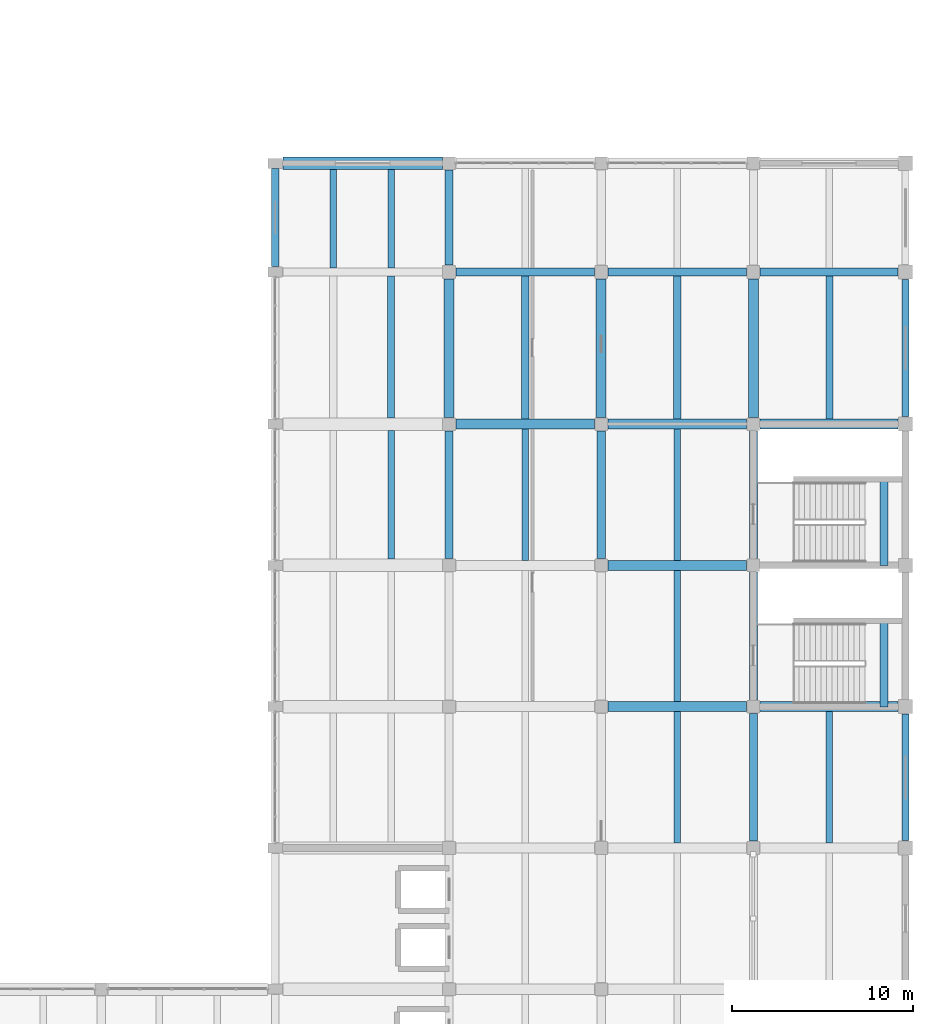
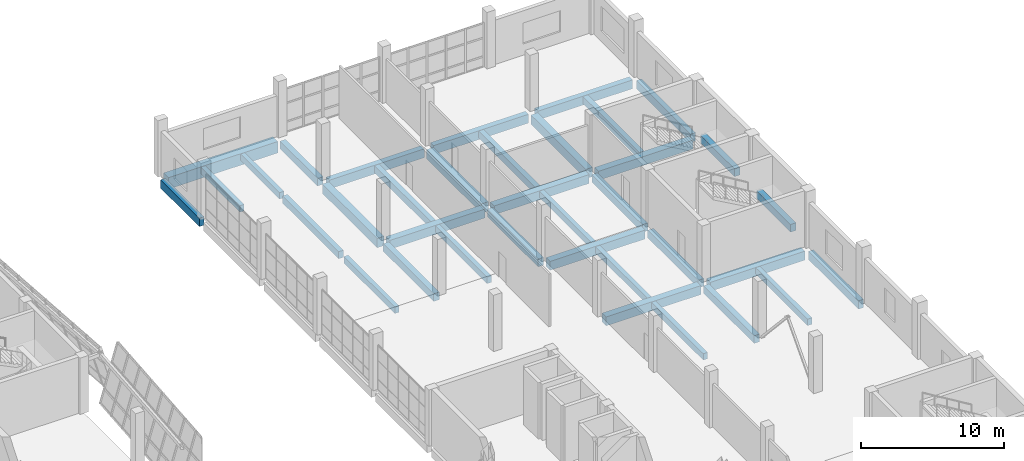
# One storey, part 60 of 91: 36 beams.
"""IFC4 building model written with IfcOpenShell, lengths in metres."""

from ifc_helpers import new_model, si_unit, direction, frame, origin, origin_2d, place, context, subcontext, project, spatial, rectangle, extrude, material, material_profile, profile_set, type_object, element, save


model = new_model("IFC4")

# Units and contexts
model_context = context("Model", 3, precision=1e-05, world=origin(), true_north=direction((0.0, 1.0)))
body_context = subcontext(model_context, "Body", "Model", "MODEL_VIEW")
ifc_project = project(units=[si_unit("LENGTHUNIT", "METRE"), si_unit("AREAUNIT", "SQUARE_METRE"), si_unit("VOLUMEUNIT", "CUBIC_METRE"), si_unit("PLANEANGLEUNIT", "RADIAN"), si_unit("MASSUNIT", "GRAM", prefix="KILO")], contexts=[model_context])

# Site, building, storey
site_placement = place(None, origin())
site = spatial("IfcSite", under=ifc_project, at=site_placement, CompositionType="ELEMENT")
building_placement = place(site_placement, origin())
building = spatial("IfcBuilding", under=site, at=building_placement, Name="Pellamere Symphony Hall", CompositionType="ELEMENT")
storey_placement = place(building_placement, frame((0.0, 0.0, 5.39990234375)))
storey = spatial("IfcBuildingStorey", under=building, at=storey_placement, Name="L01", CompositionType="ELEMENT", Elevation=5.39990234375)

# Beams
ifc_material_1 = material(Name="Concrete 40 MPa", Category="concrete")
ifc_material_profile_1 = material_profile(ifc_material_1, rectangle(XDim=0.550048828125, YDim=0.800048828125, at=origin_2d()), Name="RC 550x800")
ifc_profile_set_1 = profile_set([ifc_material_profile_1], Name="Concrete 40 MPa")
beam_type_1 = type_object("IfcBeamType", Name="RC CB-05 550x800", PredefinedType="BEAM", material=ifc_profile_set_1)
for number, where, z_axis, x_axis, name in (
    (1, (147.60009765625, 85.574951171875, -0.679931640625), (0.0, 1.0, 0.0), (-1.0, 0.0, 0.0), "Girder CB-05-Y0860 (L01)"),
    (2, (156.0, 85.574951171875, -0.679931640625), (0.0, 1.0, 0.0), (-1.0, 0.0, 0.0), "Girder CB-05-Y0871 (L01)"),
    (3, (164.39990234375, 85.574951171875, -0.679931640625), (0.0, 1.0, 0.0), (-1.0, 0.0, 0.0), "Girder CB-05-Y0882 (L01)"),
):
    element("IfcBeam", number, at=place(storey_placement, frame(where, z_axis=z_axis, x_axis=x_axis)), inside=storey, type_object=beam_type_1, Name=name, PredefinedType="BEAM", context=body_context, shape_type="SweptSolid", body=[
        extrude(rectangle(XDim=0.550048828125, YDim=0.800048828125, at=origin_2d()), origin(), (0.0, 0.0, 1.0), 7.650146484375),
    ])
ifc_material_profile_2 = material_profile(ifc_material_1, rectangle(XDim=0.449951171875, YDim=0.64990234375, at=origin_2d()), Name="RC 450x650")
ifc_profile_set_2 = profile_set([ifc_material_profile_2], Name="Concrete 40 MPa")
beam_type_2 = type_object("IfcBeamType", Name="RC CB-08 450x650", PredefinedType="BEAM", material=ifc_profile_set_2)
beam_1_placement = place(storey_placement, frame((147.60009765625, 77.77490234375, -0.60498046875), z_axis=(0.0, 1.0, 0.0), x_axis=(-1.0, 0.0, 0.0)))
element("IfcBeam", 4, at=beam_1_placement, inside=storey, type_object=beam_type_2, Name="Girder CB-08-Y0859 (L01)", PredefinedType="BEAM", context=body_context, shape_type="SweptSolid", body=[
    extrude(rectangle(XDim=0.449951171875, YDim=0.64990234375, at=origin_2d()), origin(), (0.0, 0.0, 1.0), 7.050048828125),
])
beam_2_placement = place(storey_placement, frame((147.60009765625, 93.97509765625, -0.60498046875), z_axis=(0.0, 1.0, 0.0), x_axis=(-1.0, 0.0, 0.0)))
element("IfcBeam", 5, at=beam_2_placement, inside=storey, type_object=beam_type_2, Name="Girder CB-08-Y0861 (L01)", PredefinedType="BEAM", context=body_context, shape_type="SweptSolid", body=[
    extrude(rectangle(XDim=0.449951171875, YDim=0.64990234375, at=origin_2d()), origin(), (0.0, 0.0, 1.0), 5.25),
])
for number, where, z_axis, x_axis, name in (
    (6, (156.0, 77.77490234375, -0.60498046875), (0.0, 1.0, 0.0), (-1.0, 0.0, 0.0), "Girder CB-08-Y0870 (L01)"),
    (7, (164.39990234375, 62.175048828125, -0.60498046875), (0.0, 1.0, 0.0), (-1.0, 0.0, 0.0), "Girder CB-08-Y0879 (L01)"),
):
    element("IfcBeam", number, at=place(storey_placement, frame(where, z_axis=z_axis, x_axis=x_axis)), inside=storey, type_object=beam_type_2, Name=name, PredefinedType="BEAM", context=body_context, shape_type="SweptSolid", body=[
        extrude(rectangle(XDim=0.449951171875, YDim=0.64990234375, at=origin_2d()), origin(), (0.0, 0.0, 1.0), 7.050048828125),
    ])
beam_3_placement = place(storey_placement, frame((164.39990234375, 69.97509765625, -0.60498046875), z_axis=(0.0, 1.0, 0.0), x_axis=(-1.0, 0.0, 0.0)))
element("IfcBeam", 8, at=beam_3_placement, inside=storey, type_object=beam_type_2, Name="Girder CB-08-Y0880 (L01)", PredefinedType="BEAM", context=body_context, shape_type="SweptSolid", body=[
    extrude(rectangle(XDim=0.449951171875, YDim=0.64990234375, at=origin_2d()), origin(), (0.0, 0.0, 1.0), 7.0498046875),
])
beam_4_placement = place(storey_placement, frame((164.39990234375, 77.77490234375, -0.60498046875), z_axis=(0.0, 1.0, 0.0), x_axis=(-1.0, 0.0, 0.0)))
element("IfcBeam", 9, at=beam_4_placement, inside=storey, type_object=beam_type_2, Name="Girder CB-08-Y0881 (L01)", PredefinedType="BEAM", context=body_context, shape_type="SweptSolid", body=[
    extrude(rectangle(XDim=0.449951171875, YDim=0.64990234375, at=origin_2d()), origin(), (0.0, 0.0, 1.0), 7.050048828125),
])
for number, where, z_axis, x_axis, name in (
    (10, (171.607421875, 69.580078125, 1.85498046875), (0.0, 1.0, 0.0), (-1.0, 0.0, 0.0), "Stair ST05-L01 Half Landing Support Beam (L01)"),
    (11, (171.607421875, 77.3798828125, 1.85498046875), (0.0, 1.0, 0.0), (-1.0, 0.0, 0.0), "Stair ST14-L01 Half Landing Support Beam (L01)"),
):
    element("IfcBeam", number, at=place(storey_placement, frame(where, z_axis=z_axis, x_axis=x_axis)), inside=storey, type_object=beam_type_2, Name=name, PredefinedType="BEAM", context=body_context, shape_type="SweptSolid", body=[
        extrude(rectangle(XDim=0.449951171875, YDim=0.64990234375, at=origin_2d()), origin(), (0.0, 0.0, 1.0), 4.780029296875),
    ])
ifc_material_profile_3 = material_profile(ifc_material_1, rectangle(XDim=0.39990234375, YDim=0.60009765625, at=origin_2d()), Name="RC 400x600")
ifc_profile_set_3 = profile_set([ifc_material_profile_3], Name="Concrete 40 MPa")
beam_type_3 = type_object("IfcBeamType", Name="RC CB-09 400x600", PredefinedType="BEAM", material=ifc_profile_set_3)
beam_5_placement = place(storey_placement, frame((144.39990234375, 85.5400390625, -0.594970703125), z_axis=(0.0, 1.0, 0.0), x_axis=(-1.0, 0.0, 0.0)))
element("IfcBeam", 12, at=beam_5_placement, inside=storey, type_object=beam_type_3, Name="Secondary Floor Beam CB-09-B1711 (L01)", PredefinedType="BEAM", context=body_context, shape_type="SweptSolid", body=[
    extrude(rectangle(XDim=0.39990234375, YDim=0.60009765625, at=origin_2d()), origin(), (0.0, 0.0, 1.0), 7.8349609375),
])
for number, where, z_axis, x_axis, name in (
    (13, (151.800048828125, 85.47998046875, -0.594970703125), (0.0, 1.0, 0.0), (-1.0, 0.0, 0.0), "Secondary Floor Beam CB-09-M1811 (L01)"),
    (14, (160.199951171875, 85.47998046875, -0.594970703125), (0.0, 1.0, 0.0), (-1.0, 0.0, 0.0), "Secondary Floor Beam CB-09-M1911 (L01)"),
    (15, (168.60009765625, 85.47998046875, -0.594970703125), (0.0, 1.0, 0.0), (-1.0, 0.0, 0.0), "Secondary Floor Beam CB-09-M2011 (L01)"),
):
    element("IfcBeam", number, at=place(storey_placement, frame(where, z_axis=z_axis, x_axis=x_axis)), inside=storey, type_object=beam_type_3, Name=name, PredefinedType="BEAM", context=body_context, shape_type="SweptSolid", body=[
        extrude(rectangle(XDim=0.39990234375, YDim=0.60009765625, at=origin_2d()), origin(), (0.0, 0.0, 1.0), 7.89501953125),
    ])
ifc_material_2 = material(Name="Concrete 35 MPa", Category="concrete")
ifc_material_profile_4 = material_profile(ifc_material_2, rectangle(XDim=0.35009765625, YDim=0.550048828125, at=origin_2d()), Name="RC 350x550")
ifc_profile_set_4 = profile_set([ifc_material_profile_4], Name="Concrete 35 MPa")
beam_type_4 = type_object("IfcBeamType", Name="RC CB-10 350x550", PredefinedType="BEAM", material=ifc_profile_set_4)
beam_6_placement = place(storey_placement, frame((144.39990234375, 77.739990234375, -0.56982421875), z_axis=(0.0, 1.0, 0.0), x_axis=(-1.0, 0.0, 0.0)))
element("IfcBeam", 16, at=beam_6_placement, inside=storey, type_object=beam_type_4, Name="Secondary Floor Beam CB-10-B1710 (L01)", PredefinedType="BEAM", context=body_context, shape_type="SweptSolid", body=[
    extrude(rectangle(XDim=0.35009765625, YDim=0.550048828125, at=origin_2d()), origin(), (0.0, 0.0, 1.0), 7.1201171875),
])
for number, where, z_axis, x_axis, name in (
    (17, (141.199951171875, 93.824951171875, -0.56982421875), (0.0, 1.0, 0.0), (-1.0, 0.0, 0.0), "Secondary Floor Beam CB-10-A1712 (L01)"),
    (18, (144.39990234375, 93.824951171875, -0.56982421875), (0.0, 1.0, 0.0), (-1.0, 0.0, 0.0), "Secondary Floor Beam CB-10-B1712 (L01)"),
):
    element("IfcBeam", number, at=place(storey_placement, frame(where, z_axis=z_axis, x_axis=x_axis)), inside=storey, type_object=beam_type_4, Name=name, PredefinedType="BEAM", context=body_context, shape_type="SweptSolid", body=[
        extrude(rectangle(XDim=0.35009765625, YDim=0.550048828125, at=origin_2d()), origin(), (0.0, 0.0, 1.0), 5.43505859375),
    ])
for number, where, z_axis, x_axis, name in (
    (19, (151.800048828125, 77.679931640625, -0.56982421875), (0.0, 1.0, 0.0), (-1.0, 0.0, 0.0), "Secondary Floor Beam CB-10-M1810 (L01)"),
    (20, (160.199951171875, 62.080078125, -0.56982421875), (0.0, 1.0, 0.0), (-1.0, 0.0, 0.0), "Secondary Floor Beam CB-10-M1908 (L01)"),
):
    element("IfcBeam", number, at=place(storey_placement, frame(where, z_axis=z_axis, x_axis=x_axis)), inside=storey, type_object=beam_type_4, Name=name, PredefinedType="BEAM", context=body_context, shape_type="SweptSolid", body=[
        extrude(rectangle(XDim=0.35009765625, YDim=0.550048828125, at=origin_2d()), origin(), (0.0, 0.0, 1.0), 7.239990234375),
    ])
beam_7_placement = place(storey_placement, frame((160.199951171875, 69.8798828125, -0.56982421875), z_axis=(0.0, 1.0, 0.0), x_axis=(-1.0, 0.0, 0.0)))
element("IfcBeam", 21, at=beam_7_placement, inside=storey, type_object=beam_type_4, Name="Secondary Floor Beam CB-10-M1909 (L01)", PredefinedType="BEAM", context=body_context, shape_type="SweptSolid", body=[
    extrude(rectangle(XDim=0.35009765625, YDim=0.550048828125, at=origin_2d()), origin(), (0.0, 0.0, 1.0), 7.240234375),
])
for number, where, z_axis, x_axis, name in (
    (22, (160.199951171875, 77.679931640625, -0.56982421875), (0.0, 1.0, 0.0), (-1.0, 0.0, 0.0), "Secondary Floor Beam CB-10-M1910 (L01)"),
    (23, (168.60009765625, 62.080078125, -0.56982421875), (0.0, 1.0, 0.0), (-1.0, 0.0, 0.0), "Secondary Floor Beam CB-10-M2008 (L01)"),
):
    element("IfcBeam", number, at=place(storey_placement, frame(where, z_axis=z_axis, x_axis=x_axis)), inside=storey, type_object=beam_type_4, Name=name, PredefinedType="BEAM", context=body_context, shape_type="SweptSolid", body=[
        extrude(rectangle(XDim=0.35009765625, YDim=0.550048828125, at=origin_2d()), origin(), (0.0, 0.0, 1.0), 7.239990234375),
    ])
ifc_material_profile_5 = material_profile(ifc_material_1, rectangle(XDim=0.449951171875, YDim=0.75, at=origin_2d()), Name="RC 450x750")
ifc_profile_set_5 = profile_set([ifc_material_profile_5], Name="Concrete 40 MPa")
beam_type_5 = type_object("IfcBeamType", Name="RC CB-12 450x750", PredefinedType="SPANDREL", material=ifc_profile_set_5)
for number, where, z_axis, x_axis, name in (
    (24, (147.97509765625, 93.60009765625, -0.65478515625), (1.0, 0.0, 0.0), (0.0, 1.0, 0.0), "Girder CB-12-X0693 (L01)"),
    (25, (156.375, 93.60009765625, -0.65478515625), (1.0, 0.0, 0.0), (0.0, 1.0, 0.0), "Girder CB-12-X0694 (L01)"),
):
    element("IfcBeam", number, at=place(storey_placement, frame(where, z_axis=z_axis, x_axis=x_axis)), inside=storey, type_object=beam_type_5, Name=name, PredefinedType="SPANDREL", context=body_context, shape_type="SweptSolid", body=[
        extrude(rectangle(XDim=0.449951171875, YDim=0.75, at=origin_2d()), origin(), (0.0, 0.0, 1.0), 7.64990234375),
    ])
beam_8_placement = place(storey_placement, frame((164.77490234375, 93.60009765625, -0.65478515625), z_axis=(1.0, 0.0, 0.0), x_axis=(0.0, 1.0, 0.0)))
element("IfcBeam", 26, at=beam_8_placement, inside=storey, type_object=beam_type_5, Name="Girder CB-12-X0695 (L01)", PredefinedType="SPANDREL", context=body_context, shape_type="SweptSolid", body=[
    extrude(rectangle(XDim=0.449951171875, YDim=0.75, at=origin_2d()), origin(), (0.0, 0.0, 1.0), 7.614990234375),
])
ifc_material_profile_6 = material_profile(ifc_material_1, rectangle(XDim=0.39990234375, YDim=0.699951171875, at=origin_2d()), Name="RC 400x700")
ifc_profile_set_6 = profile_set([ifc_material_profile_6], Name="Concrete 40 MPa")
beam_type_6 = type_object("IfcBeamType", Name="RC CB-13 400x700", PredefinedType="SPANDREL", material=ifc_profile_set_6)
beam_9_placement = place(storey_placement, frame((138.0, 93.89990234375, -0.6298828125), z_axis=(0.0, 1.0, 0.0), x_axis=(-1.0, 0.0, 0.0)))
element("IfcBeam", 27, at=beam_9_placement, inside=storey, type_object=beam_type_6, Name="Girder CB-13-Y0850 (L01)", PredefinedType="SPANDREL", context=body_context, shape_type="SweptSolid", body=[
    extrude(rectangle(XDim=0.39990234375, YDim=0.699951171875, at=origin_2d()), origin(), (0.0, 0.0, 1.0), 5.400146484375),
])
beam_10_placement = place(storey_placement, frame((172.800048828125, 62.2099609375, -0.6298828125), z_axis=(0.0, 1.0, 0.0), x_axis=(-1.0, 0.0, 0.0)))
element("IfcBeam", 28, at=beam_10_placement, inside=storey, type_object=beam_type_6, Name="Girder CB-13-Y0888 (L01)", PredefinedType="SPANDREL", context=body_context, shape_type="SweptSolid", body=[
    extrude(rectangle(XDim=0.39990234375, YDim=0.699951171875, at=origin_2d()), origin(), (0.0, 0.0, 1.0), 6.97998046875),
])
beam_11_placement = place(storey_placement, frame((172.800048828125, 85.610107421875, -0.6298828125), z_axis=(0.0, 1.0, 0.0), x_axis=(-1.0, 0.0, 0.0)))
element("IfcBeam", 29, at=beam_11_placement, inside=storey, type_object=beam_type_6, Name="Girder CB-13-Y0889 (L01)", PredefinedType="SPANDREL", context=body_context, shape_type="SweptSolid", body=[
    extrude(rectangle(XDim=0.39990234375, YDim=0.699951171875, at=origin_2d()), origin(), (0.0, 0.0, 1.0), 7.579833984375),
])
ifc_material_profile_7 = material_profile(ifc_material_1, rectangle(XDim=0.56005859375, YDim=0.760009765625, at=origin_2d()), Name="RC 560x760")
ifc_profile_set_7 = profile_set([ifc_material_profile_7], Name="Concrete 40 MPa")
beam_type_7 = type_object("IfcBeamType", Name="RC CB-18 560x760", PredefinedType="BEAM", material=ifc_profile_set_7)
beam_12_placement = place(storey_placement, frame((156.375, 69.60009765625, -0.659912109375), z_axis=(1.0, 0.0, 0.0), x_axis=(0.0, 1.0, 0.0)))
element("IfcBeam", 30, at=beam_12_placement, inside=storey, type_object=beam_type_7, Name="Girder CB-18-X0658 (L01)", PredefinedType="BEAM", context=body_context, shape_type="SweptSolid", body=[
    extrude(rectangle(XDim=0.56005859375, YDim=0.760009765625, at=origin_2d()), origin(), (0.0, 0.0, 1.0), 7.64990234375),
])
beam_13_placement = place(storey_placement, frame((164.77490234375, 69.60009765625, -0.659912109375), z_axis=(1.0, 0.0, 0.0), x_axis=(0.0, 1.0, 0.0)))
element("IfcBeam", 31, at=beam_13_placement, inside=storey, type_object=beam_type_7, Name="Girder CB-18-X0659 (L01)", PredefinedType="BEAM", context=body_context, shape_type="SweptSolid", body=[
    extrude(rectangle(XDim=0.56005859375, YDim=0.760009765625, at=origin_2d()), origin(), (0.0, 0.0, 1.0), 7.614990234375),
])
for number, where, z_axis, x_axis, name in (
    (32, (156.375, 77.39990234375, -0.659912109375), (1.0, 0.0, 0.0), (0.0, 1.0, 0.0), "Girder CB-18-X0671 (L01)"),
    (33, (147.97509765625, 85.199951171875, -0.659912109375), (1.0, 0.0, 0.0), (0.0, 1.0, 0.0), "Girder CB-18-X0680 (L01)"),
    (34, (156.375, 85.199951171875, -0.659912109375), (1.0, 0.0, 0.0), (0.0, 1.0, 0.0), "Girder CB-18-X0681 (L01)"),
):
    element("IfcBeam", number, at=place(storey_placement, frame(where, z_axis=z_axis, x_axis=x_axis)), inside=storey, type_object=beam_type_7, Name=name, PredefinedType="BEAM", context=body_context, shape_type="SweptSolid", body=[
        extrude(rectangle(XDim=0.56005859375, YDim=0.760009765625, at=origin_2d()), origin(), (0.0, 0.0, 1.0), 7.64990234375),
    ])
beam_14_placement = place(storey_placement, frame((164.77490234375, 85.199951171875, -0.659912109375), z_axis=(1.0, 0.0, 0.0), x_axis=(0.0, 1.0, 0.0)))
element("IfcBeam", 35, at=beam_14_placement, inside=storey, type_object=beam_type_7, Name="Girder CB-18-X0682 (L01)", PredefinedType="BEAM", context=body_context, shape_type="SweptSolid", body=[
    extrude(rectangle(XDim=0.56005859375, YDim=0.760009765625, at=origin_2d()), origin(), (0.0, 0.0, 1.0), 7.614990234375),
])
ifc_material_profile_8 = material_profile(ifc_material_1, rectangle(XDim=0.679931640625, YDim=0.97998046875, at=origin_2d()), Name="RC 680x980")
ifc_profile_set_8 = profile_set([ifc_material_profile_8], Name="Concrete 40 MPa")
beam_type_8 = type_object("IfcBeamType", Name="RC CB-22 680x980", PredefinedType="BEAM", material=ifc_profile_set_8)
beam_15_placement = place(storey_placement, frame((138.425048828125, 99.60009765625, -0.77001953125), z_axis=(1.0, 0.0, 0.0), x_axis=(0.0, 1.0, 0.0)))
element("IfcBeam", 36, at=beam_15_placement, inside=storey, type_object=beam_type_8, Name="Girder CB-22-X0701 (L01)", PredefinedType="BEAM", context=body_context, shape_type="SweptSolid", body=[
    extrude(rectangle(XDim=0.679931640625, YDim=0.97998046875, at=origin_2d()), origin(), (0.0, 0.0, 1.0), 8.800048828125),
])

save(model, "model.ifc")
